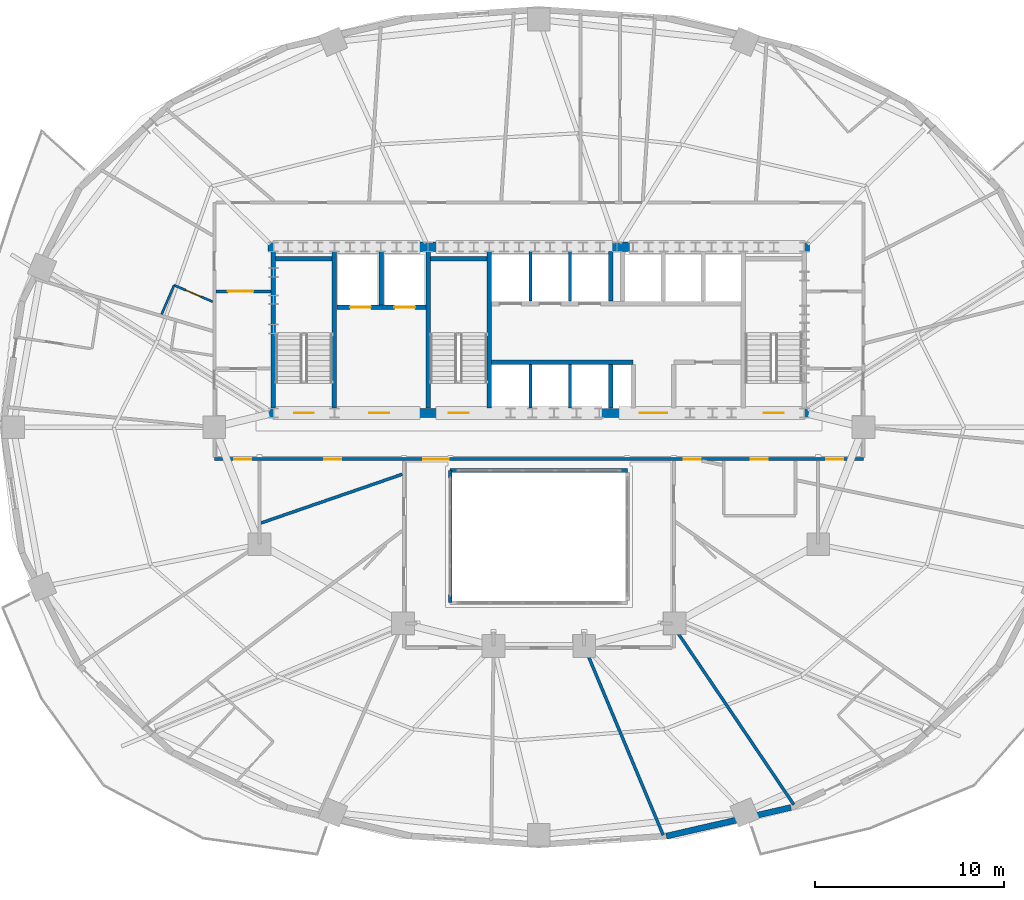
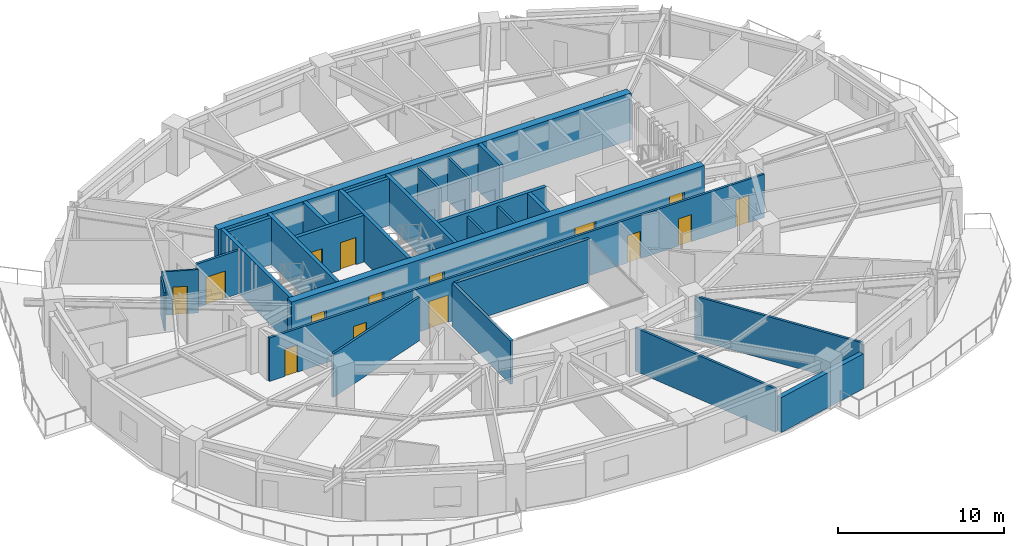
# One storey, part 8 of 14: 27 walls, 15 doors, 15 openings.
"""IFC4 building model written with IfcOpenShell, lengths in metres."""

from ifc_helpers import new_model, si_unit, direction, frame, frame_2d, origin, place, context, subcontext, project, spatial, rectangle, extrude, material, layer, layer_set, type_object, element, fill, save


model = new_model("IFC4")

# Units and contexts
model_context = context("Model", 3, precision=1e-05, world=origin(), true_north=direction((0.0, 1.0)))
body_context = subcontext(model_context, "Body", "Model", "MODEL_VIEW")
ifc_project = project(units=[si_unit("LENGTHUNIT", "METRE"), si_unit("AREAUNIT", "SQUARE_METRE"), si_unit("VOLUMEUNIT", "CUBIC_METRE"), si_unit("PLANEANGLEUNIT", "RADIAN"), si_unit("MASSUNIT", "GRAM", prefix="KILO")], contexts=[model_context])

# Site, building, storey
site_placement = place(None, origin())
site = spatial("IfcSite", under=ifc_project, at=site_placement, CompositionType="ELEMENT")
building_placement = place(site_placement, origin())
building = spatial("IfcBuilding", under=site, at=building_placement, Name="Haldorwick Loom Tower", CompositionType="ELEMENT")
storey_placement = place(building_placement, frame((0.0, 0.0, 99.050048828125)))
storey = spatial("IfcBuildingStorey", under=building, at=storey_placement, Name="L26", CompositionType="ELEMENT", Elevation=99.050048828125)

# Wall
ifc_material_1 = material(Name="Pressed Clay Face Brick and Insulated Masonry Backup Assembly", Category="masonry")
ifc_layer_1 = layer(ifc_material_1, 0.320068359375, Name="Pressed Clay Face Brick and Insulated Masonry Backup Assembly", Category="masonry")
ifc_layer_set_1 = layer_set([ifc_layer_1], Name="Pressed Clay Face Brick and Insulated Masonry Backup Assembly")
wall_type_1 = type_object("IfcWallType", Name="ARC-WL-EXT320", PredefinedType="STANDARD", material=ifc_layer_set_1)
wall_1_placement = place(storey_placement, frame((42.757080078125, 4.325439453125, 0.0), z_axis=(0.0, 0.0, 1.0), x_axis=(0.974584177714, 0.224021607329, 0.0)))
element("IfcWall", 1, at=wall_1_placement, inside=storey, type_object=wall_type_1, Name="L26 Brick Pier and Spandrel Wall 20", PredefinedType="STANDARD", context=body_context, shape_type="SweptSolid", body=[
    extrude(rectangle(XDim=6.767822265625, YDim=0.320068359375, at=frame_2d((3.3837890625, 0.0))), origin(), (0.0, 0.0, 1.0), 2.56884765625),
])

# Wall, openings, doors
ifc_material_2 = material(Name="Fire-Rated Type X Gypsum Stud Assembly EI 60")
ifc_layer_2 = layer(ifc_material_2, 0.159912109375, Name="Fire-Rated Type X Gypsum Stud Assembly EI 60")
ifc_layer_set_2 = layer_set([ifc_layer_2], Name="Fire-Rated Type X Gypsum Stud Assembly EI 60")
wall_type_2 = type_object("IfcWallType", Name="ARC-WL-FIRE160", PredefinedType="PARTITIONING", material=ifc_layer_set_2)
wall_2_placement = place(storey_placement, frame((18.800048828125, 24.300048828125, 0.0), z_axis=(0.0, 0.0, 1.0), x_axis=(1.0, 0.0, 0.0)))
wall_2 = element("IfcWall", 2, at=wall_2_placement, inside=storey, type_object=wall_type_2, Name="L26 Residential Fire Partition L26-CR-SP", PredefinedType="PARTITIONING", context=body_context, shape_type="SweptSolid", body=[
    extrude(rectangle(XDim=34.39990234375, YDim=0.159912109375, at=frame_2d((17.199951171875, 0.0))), origin(), (0.0, 0.0, 1.0), 3.195068359375),
])
opening_1_placement = place(wall_2_placement, frame((11.085693359375, 0.0, 0.0)))
opening_1 = element("IfcOpeningElement", 3, at=opening_1_placement, cuts=wall_2, Name="Opening D-CR15", PredefinedType="OPENING", context=body_context, shape_type="SweptSolid", body=[
    extrude(rectangle(XDim=1.35009765625, YDim=2.0, at=frame_2d((0.675048828125, 1.0))), frame((0.0, 0.08984375, 0.0), z_axis=(0.0, -1.0, 0.0), x_axis=(1.0, 0.0, 0.0)), (0.0, 0.0, 1.0), 0.179931640625),
])
opening_2_placement = place(wall_2_placement, frame((5.834716796875, 0.0, 0.0)))
opening_2 = element("IfcOpeningElement", 4, at=opening_2_placement, cuts=wall_2, Name="Opening D-FD60A", PredefinedType="OPENING", context=body_context, shape_type="SweptSolid", body=[
    extrude(rectangle(XDim=0.89990234375, YDim=2.0, at=frame_2d((0.449951171875, 1.0))), frame((0.0, 0.08984375, 0.0), z_axis=(0.0, -1.0, 0.0), x_axis=(1.0, 0.0, 0.0)), (0.0, 0.0, 1.0), 0.179931640625),
])
opening_3_placement = place(wall_2_placement, frame((28.437255859375, 0.0, 0.0)))
opening_3 = element("IfcOpeningElement", 5, at=opening_3_placement, cuts=wall_2, Name="Opening D-FD60A", PredefinedType="OPENING", context=body_context, shape_type="SweptSolid", body=[
    extrude(rectangle(XDim=0.89990234375, YDim=2.0, at=frame_2d((0.449951171875, 1.0))), frame((0.0, 0.08984375, 0.0), z_axis=(0.0, -1.0, 0.0), x_axis=(1.0, 0.0, 0.0)), (0.0, 0.0, 1.0), 0.179931640625),
])
opening_4_placement = place(wall_2_placement, frame((24.8916015625, 0.0, 0.0)))
opening_4 = element("IfcOpeningElement", 6, at=opening_4_placement, cuts=wall_2, Name="Opening D-FD60A", PredefinedType="OPENING", context=body_context, shape_type="SweptSolid", body=[
    extrude(rectangle(XDim=0.89990234375, YDim=2.0, at=frame_2d((0.449951171875, 1.0))), frame((0.0, 0.08984375, 0.0), z_axis=(0.0, -1.0, 0.0), x_axis=(1.0, 0.0, 0.0)), (0.0, 0.0, 1.0), 0.179931640625),
])
opening_5_placement = place(wall_2_placement, frame((1.063232421875, 0.0, 0.0)))
opening_5 = element("IfcOpeningElement", 7, at=opening_5_placement, cuts=wall_2, Name="Opening D-FD60A", PredefinedType="OPENING", context=body_context, shape_type="SweptSolid", body=[
    extrude(rectangle(XDim=0.89990234375, YDim=2.0, at=frame_2d((0.449951171875, 1.0))), frame((0.0, 0.08984375, 0.0), z_axis=(0.0, -1.0, 0.0), x_axis=(1.0, 0.0, 0.0)), (0.0, 0.0, 1.0), 0.179931640625),
])
opening_6_placement = place(wall_2_placement, frame((32.436767578125, 0.0, 0.0)))
opening_6 = element("IfcOpeningElement", 8, at=opening_6_placement, cuts=wall_2, Name="Opening D-FD60A", PredefinedType="OPENING", context=body_context, shape_type="SweptSolid", body=[
    extrude(rectangle(XDim=0.89990234375, YDim=2.0, at=frame_2d((0.449951171875, 1.0))), frame((0.0, 0.08984375, 0.0), z_axis=(0.0, -1.0, 0.0), x_axis=(1.0, 0.0, 0.0)), (0.0, 0.0, 1.0), 0.179931640625),
])
ifc_material_3 = material(Name="Thermally Broken Anodized Aluminium and Tempered Glass", Category="aluminium")
door_type_1 = type_object("IfcDoorType", Name="ARC-DR-COR150", OperationType="NOTDEFINED", PredefinedType="DOOR", material=ifc_material_3)
door_1_placement = place(opening_1_placement, origin())
door_1 = element("IfcDoor", 9, at=door_1_placement, inside=storey, type_object=door_type_1, Name="L26 L26 Central Residential Corridor to L26 South Atrium Corridor Door", OperationType="DOUBLE_DOOR_SINGLE_SWING", OverallHeight=2.0, OverallWidth=1.35009765625, PredefinedType="DOOR", context=body_context, shape_type="SweptSolid", body=[
    extrude(rectangle(XDim=1.35009765625, YDim=2.0, at=frame_2d((0.675048828125, 1.0))), frame((0.0, 0.02490234375, 0.0), z_axis=(0.0, -1.0, 0.0), x_axis=(1.0, 0.0, 0.0)), (0.0, 0.0, 1.0), 0.050048828125),
])
fill(opening_1, door_1)
ifc_material_4 = material(Name="Hollow Steel Fire Door Assembly", Category="steel")
door_type_2 = type_object("IfcDoorType", Name="ARC-DR-FD60-90", OperationType="NOTDEFINED", PredefinedType="DOOR", material=ifc_material_4)
door_2_placement = place(opening_2_placement, origin())
door_2 = element("IfcDoor", 10, at=door_2_placement, inside=storey, type_object=door_type_2, Name="L26 L26 Central Residential Corridor to Shared Dining Hall 3 Door", OperationType="SINGLE_SWING_RIGHT", OverallHeight=2.0, OverallWidth=0.89990234375, PredefinedType="DOOR", context=body_context, shape_type="SweptSolid", body=[
    extrude(rectangle(XDim=0.89990234375, YDim=2.0, at=frame_2d((0.449951171875, 1.0))), frame((0.0, 0.02490234375, 0.0), z_axis=(0.0, -1.0, 0.0), x_axis=(1.0, 0.0, 0.0)), (0.0, 0.0, 1.0), 0.050048828125),
])
fill(opening_2, door_2)
door_3_placement = place(opening_3_placement, origin())
door_3 = element("IfcDoor", 11, at=door_3_placement, inside=storey, type_object=door_type_2, Name="L26 L26 Central Residential Corridor to Common Accessible WC Door", OperationType="SINGLE_SWING_RIGHT", OverallHeight=2.0, OverallWidth=0.89990234375, PredefinedType="DOOR", context=body_context, shape_type="SweptSolid", body=[
    extrude(rectangle(XDim=0.89990234375, YDim=2.0, at=frame_2d((0.449951171875, 1.0))), frame((0.0, 0.02490234375, 0.0), z_axis=(0.0, -1.0, 0.0), x_axis=(1.0, 0.0, 0.0)), (0.0, 0.0, 1.0), 0.050048828125),
])
fill(opening_3, door_3)
door_4_placement = place(opening_4_placement, origin())
door_4 = element("IfcDoor", 12, at=door_4_placement, inside=storey, type_object=door_type_2, Name="L26 L26 Central Residential Corridor to Co-Working Open Office 15 Door", OperationType="SINGLE_SWING_LEFT", OverallHeight=2.0, OverallWidth=0.89990234375, PredefinedType="DOOR", context=body_context, shape_type="SweptSolid", body=[
    extrude(rectangle(XDim=0.89990234375, YDim=2.0, at=frame_2d((0.449951171875, 1.0))), frame((0.0, 0.02490234375, 0.0), z_axis=(0.0, -1.0, 0.0), x_axis=(1.0, 0.0, 0.0)), (0.0, 0.0, 1.0), 0.050048828125),
])
fill(opening_4, door_4)
door_5_placement = place(opening_5_placement, origin())
door_5 = element("IfcDoor", 13, at=door_5_placement, inside=storey, type_object=door_type_2, Name="L26 L26 Central Residential Corridor to Co-Working Open Office 1 Door", OperationType="SINGLE_SWING_RIGHT", OverallHeight=2.0, OverallWidth=0.89990234375, PredefinedType="DOOR", context=body_context, shape_type="SweptSolid", body=[
    extrude(rectangle(XDim=0.89990234375, YDim=2.0, at=frame_2d((0.449951171875, 1.0))), frame((0.0, 0.02490234375, 0.0), z_axis=(0.0, -1.0, 0.0), x_axis=(1.0, 0.0, 0.0)), (0.0, 0.0, 1.0), 0.050048828125),
])
fill(opening_5, door_5)
door_6_placement = place(opening_6_placement, origin())
door_6 = element("IfcDoor", 14, at=door_6_placement, inside=storey, type_object=door_type_2, Name="L26 L26 Central Residential Corridor to Co-Working Open Office 7 Door", OperationType="SINGLE_SWING_LEFT", OverallHeight=2.0, OverallWidth=0.89990234375, PredefinedType="DOOR", context=body_context, shape_type="SweptSolid", body=[
    extrude(rectangle(XDim=0.89990234375, YDim=2.0, at=frame_2d((0.449951171875, 1.0))), frame((0.0, 0.02490234375, 0.0), z_axis=(0.0, -1.0, 0.0), x_axis=(1.0, 0.0, 0.0)), (0.0, 0.0, 1.0), 0.050048828125),
])
fill(opening_6, door_6)

# Wall, opening, door
wall_3_placement = place(storey_placement, frame((18.883056640625, 33.199951171875, 0.0), z_axis=(0.0, 0.0, 1.0), x_axis=(1.0, 0.0, 0.0)))
wall_3 = element("IfcWall", 15, at=wall_3_placement, inside=storey, type_object=wall_type_2, Name="L26 Residential Fire Partition L26-CR-WNJ", PredefinedType="PARTITIONING", context=body_context, shape_type="SweptSolid", body=[
    extrude(rectangle(XDim=2.923828125, YDim=0.159912109375, at=frame_2d((1.4619140625, 0.0))), origin(), (0.0, 0.0, 1.0), 3.195068359375),
])
opening_7_placement = place(wall_3_placement, frame((0.637939453125, 0.0, 0.0)))
opening_7 = element("IfcOpeningElement", 16, at=opening_7_placement, cuts=wall_3, Name="Opening D-CR15", PredefinedType="OPENING", context=body_context, shape_type="SweptSolid", body=[
    extrude(rectangle(XDim=1.35009765625, YDim=2.0, at=frame_2d((0.675048828125, 1.0))), frame((0.0, 0.08984375, 0.0), z_axis=(0.0, -1.0, 0.0), x_axis=(1.0, 0.0, 0.0)), (0.0, 0.0, 1.0), 0.179931640625),
])
door_7_placement = place(opening_7_placement, origin())
door_7 = element("IfcDoor", 17, at=door_7_placement, inside=storey, type_object=door_type_1, Name="L26 L26 North Residential Corridor to L26 West Residential Corridor Door", OperationType="DOUBLE_DOOR_SINGLE_SWING", OverallHeight=2.0, OverallWidth=1.35009765625, PredefinedType="DOOR", context=body_context, shape_type="SweptSolid", body=[
    extrude(rectangle(XDim=1.35009765625, YDim=2.0, at=frame_2d((0.675048828125, 1.0))), frame((0.0, 0.02490234375, 0.0), z_axis=(0.0, -1.0, 0.0), x_axis=(1.0, 0.0, 0.0)), (0.0, 0.0, 1.0), 0.050048828125),
])
fill(opening_7, door_7)

# Walls
wall_4_placement = place(storey_placement, frame((38.4765625, 14.217041015625, 0.0), z_axis=(0.0, 0.0, 1.0), x_axis=(0.385727114359, -0.922612916259, 0.0)))
element("IfcWall", 18, at=wall_4_placement, inside=storey, type_object=wall_type_2, Name="L26 Residential Fire Partition L26-ICR-05", PredefinedType="PARTITIONING", context=body_context, shape_type="SweptSolid", body=[
    extrude(rectangle(XDim=10.6630859375, YDim=0.159912109375, at=frame_2d((5.33154296875, 0.0))), origin(), (0.0, 0.0, 1.0), 3.195068359375),
])
wall_5_placement = place(storey_placement, frame((28.76708984375, 23.504638671875, 0.0), z_axis=(0.0, 0.0, 1.0), x_axis=(-0.945322503032, -0.326137034483, 0.0)))
element("IfcWall", 19, at=wall_5_placement, inside=storey, type_object=wall_type_2, Name="L26 Suite Split Wall", PredefinedType="PARTITIONING", context=body_context, shape_type="SweptSolid", body=[
    extrude(rectangle(XDim=7.9169921875, YDim=0.159912109375, at=frame_2d((3.95849609375, 0.0))), origin(), (0.0, 0.0, 1.0), 3.195068359375),
])
wall_6_placement = place(storey_placement, frame((43.23291015625, 15.2900390625, 0.0), z_axis=(0.0, 0.0, 1.0), x_axis=(0.559691064991, -0.828701340514, 0.0)))
element("IfcWall", 20, at=wall_6_placement, inside=storey, type_object=wall_type_2, Name="L26 Suite Split Wall", PredefinedType="PARTITIONING", context=body_context, shape_type="SweptSolid", body=[
    extrude(rectangle(XDim=11.220947265625, YDim=0.159912109375, at=frame_2d((5.6103515625, 0.0))), origin(), (0.0, 0.0, 1.0), 3.195068359375),
])
ifc_material_5 = material(Name="Fire-Rated Type X Gypsum Stud Assembly EI 120")
ifc_layer_3 = layer(ifc_material_5, 0.199951171875, Name="Fire-Rated Type X Gypsum Stud Assembly EI 120")
ifc_layer_set_3 = layer_set([ifc_layer_3], Name="Fire-Rated Type X Gypsum Stud Assembly EI 120")
wall_type_3 = type_object("IfcWallType", Name="ARC-WL-FIRE200", PredefinedType="PARTITIONING", material=ifc_layer_set_3)
wall_7_placement = place(storey_placement, frame((31.300048828125, 23.699951171875, 0.0), z_axis=(0.0, 0.0, 1.0), x_axis=(1.0, 0.0, 0.0)))
element("IfcWall", 21, at=wall_7_placement, inside=storey, type_object=wall_type_3, Name="L26 Atrium Fire Enclosure Wall N", PredefinedType="PARTITIONING", context=body_context, shape_type="SweptSolid", body=[
    extrude(rectangle(XDim=9.39990234375, YDim=0.199951171875, at=frame_2d((4.699951171875, 0.0))), origin(), (0.0, 0.0, 1.0), 3.195068359375),
])
wall_8_placement = place(storey_placement, frame((31.300048828125, 16.699951171875, 0.0), z_axis=(0.0, 0.0, 1.0), x_axis=(0.0, 1.0, 0.0)))
element("IfcWall", 22, at=wall_8_placement, inside=storey, type_object=wall_type_3, Name="L26 Atrium Fire Enclosure Wall W", PredefinedType="PARTITIONING", context=body_context, shape_type="SweptSolid", body=[
    extrude(rectangle(XDim=7.0, YDim=0.199951171875, at=frame_2d((3.5, 0.0))), origin(), (0.0, 0.0, 1.0), 3.195068359375),
])
ifc_material_6 = material(Name="Acoustic Gypsum Stud Assembly STC 55")
ifc_layer_4 = layer(ifc_material_6, 0.1201171875, Name="Acoustic Gypsum Stud Assembly STC 55")
ifc_layer_set_4 = layer_set([ifc_layer_4], Name="Acoustic Gypsum Stud Assembly STC 55")
wall_type_4 = type_object("IfcWallType", Name="ARC-WL-PART120", PredefinedType="PARTITIONING", material=ifc_layer_set_4)
wall_9_placement = place(storey_placement, frame((16.67041015625, 33.52294921875, 0.0), z_axis=(0.0, 0.0, 1.0), x_axis=(-0.393008297987, -0.919534924684, 0.0)))
element("IfcWall", 23, at=wall_9_placement, inside=storey, type_object=wall_type_4, Name="L26 Unit 26K Interior Partition", PredefinedType="PARTITIONING", context=body_context, shape_type="SweptSolid", body=[
    extrude(rectangle(XDim=1.68212890625, YDim=0.1201171875, at=frame_2d((0.841064453125, 0.0))), origin(), (0.0, 0.0, 1.0), 2.826904296875),
])

# Wall, opening, door
wall_10_placement = place(storey_placement, frame((18.717041015625, 32.648193359375, 0.0), z_axis=(0.0, 0.0, 1.0), x_axis=(-0.919530395022, 0.393018896023, 0.0)))
wall_10 = element("IfcWall", 24, at=wall_10_placement, inside=storey, type_object=wall_type_4, Name="L26 Unit 26K Interior Partition", PredefinedType="PARTITIONING", context=body_context, shape_type="SweptSolid", body=[
    extrude(rectangle(XDim=2.225830078125, YDim=0.1201171875, at=frame_2d((1.11279296875, 0.0))), origin(), (0.0, 0.0, 1.0), 3.195068359375),
])
opening_8_placement = place(wall_10_placement, frame((0.6728515625, 0.0, 0.0)))
opening_8 = element("IfcOpeningElement", 25, at=opening_8_placement, cuts=wall_10, Name="Opening D-BT88", PredefinedType="OPENING", context=body_context, shape_type="SweptSolid", body=[
    extrude(rectangle(XDim=0.8798828125, YDim=2.02001953125, at=frame_2d((0.43994140625, 1.010009765625))), frame((0.0, 0.070068359375, 0.0), z_axis=(0.0, -1.0, 0.0), x_axis=(1.0, 0.0, 0.0)), (0.0, 0.0, 1.0), 0.14013671875),
])
ifc_material_7 = material(Name="Solid Core Birch Architectural Door")
door_type_3 = type_object("IfcDoorType", Name="ARC-DR-BATH88", OperationType="NOTDEFINED", PredefinedType="DOOR", material=ifc_material_7)
door_8_placement = place(opening_8_placement, origin())
door_8 = element("IfcDoor", 26, at=door_8_placement, inside=storey, type_object=door_type_3, Name="L26 Unit 26K Bathroom to Unit 26K Kitchen and Studio Living Room Door", OperationType="SINGLE_SWING_RIGHT", OverallHeight=2.02001953125, OverallWidth=0.8798828125, PredefinedType="DOOR", context=body_context, shape_type="SweptSolid", body=[
    extrude(rectangle(XDim=0.8798828125, YDim=2.02001953125, at=frame_2d((0.43994140625, 1.010009765625))), frame((0.0, 0.02490234375, 0.0), z_axis=(0.0, -1.0, 0.0), x_axis=(1.0, 0.0, 0.0)), (0.0, 0.0, 1.0), 0.050048828125),
])
fill(opening_8, door_8)

# Walls
ifc_layer_5 = layer(ifc_material_5, 0.1650390625, Name="Fire-Rated Type X Gypsum Stud Assembly EI 120")
ifc_layer_set_5 = layer_set([ifc_layer_5], Name="Fire-Rated Type X Gypsum Stud Assembly EI 120")
wall_type_5 = type_object("IfcWallType", Name="ARC-WL-SHAFT160", PredefinedType="MOVABLE", material=ifc_layer_set_5)
for number, where, z_axis, x_axis, name in (
    (27, (35.550048828125, 32.673095703125, 0.0), (0.0, 0.0, 1.0), (0.0, 1.0, 0.0), "L26 Low-Rise Hoistway Divider 1"),
    (28, (37.64990234375, 32.673095703125, 0.0), (0.0, 0.0, 1.0), (0.0, 1.0, 0.0), "L26 Low-Rise Hoistway Divider 2"),
):
    element("IfcWall", number, at=place(storey_placement, frame(where, z_axis=z_axis, x_axis=x_axis)), inside=storey, type_object=wall_type_5, Name=name, PredefinedType="MOVABLE", context=body_context, shape_type="SweptSolid", body=[
        extrude(rectangle(XDim=2.6240234375, YDim=0.159912109375, at=frame_2d((1.31201171875, 0.0))), origin(), (0.0, 0.0, 1.0), 3.195068359375),
    ])
for number, where, z_axis, x_axis, name in (
    (29, (35.550048828125, 27.0029296875, 0.0), (0.0, 0.0, 1.0), (0.0, 1.0, 0.0), "L26 Mid-Rise Hoistway Divider 1"),
    (30, (37.64990234375, 27.0029296875, 0.0), (0.0, 0.0, 1.0), (0.0, 1.0, 0.0), "L26 Mid-Rise Hoistway Divider 2"),
):
    element("IfcWall", number, at=place(storey_placement, frame(where, z_axis=z_axis, x_axis=x_axis)), inside=storey, type_object=wall_type_5, Name=name, PredefinedType="MOVABLE", context=body_context, shape_type="SweptSolid", body=[
        extrude(rectangle(XDim=2.323974609375, YDim=0.159912109375, at=frame_2d((1.162109375, 0.0))), origin(), (0.0, 0.0, 1.0), 3.195068359375),
    ])

# Wall, openings, doors
ifc_material_8 = material(Name="Concrete C60 (60 MPa)", Category="concrete")
ifc_layer_6 = layer(ifc_material_8, 0.5, Name="Concrete C60 (60 MPa)", Category="concrete")
ifc_layer_set_6 = layer_set([ifc_layer_6], Name="Concrete C60 (60 MPa)")
wall_type_6 = type_object("IfcWallType", Name="STR-WL-CORE500", PredefinedType="SHEAR", material=ifc_layer_set_6)
wall_11_placement = place(storey_placement, frame((21.64990234375, 26.75, 0.0), z_axis=(0.0, 0.0, 1.0), x_axis=(1.0, 0.0, 0.0)))
wall_11 = element("IfcWall", 31, at=wall_11_placement, inside=storey, type_object=wall_type_6, Name="L26 Core Shear Wall S", PredefinedType="SHEAR", context=body_context, shape_type="SweptSolid", body=[
    extrude(rectangle(XDim=28.7001953125, YDim=0.5, at=frame_2d((14.35009765625, 0.0))), origin(), (0.0, 0.0, 1.0), 3.449951171875),
])
opening_9_placement = place(wall_11_placement, frame((1.375, 0.0, 0.0)))
opening_9 = element("IfcOpeningElement", 32, at=opening_9_placement, cuts=wall_11, Name="Opening D-FD60", PredefinedType="OPENING", context=body_context, shape_type="SweptSolid", body=[
    extrude(rectangle(XDim=1.050048828125, YDim=2.0, at=frame_2d((0.52490234375, 1.0))), frame((0.0, 0.260009765625, 0.0), z_axis=(0.0, -1.0, 0.0), x_axis=(1.0, 0.0, 0.0)), (0.0, 0.0, 1.0), 0.52001953125),
])
opening_10_placement = place(wall_11_placement, frame((5.375, 0.0, 0.0)))
opening_10 = element("IfcOpeningElement", 33, at=opening_10_placement, cuts=wall_11, Name="Opening D-FD60", PredefinedType="OPENING", context=body_context, shape_type="SweptSolid", body=[
    extrude(rectangle(XDim=1.050048828125, YDim=2.0, at=frame_2d((0.52490234375, 1.0))), frame((0.0, 0.260009765625, 0.0), z_axis=(0.0, -1.0, 0.0), x_axis=(1.0, 0.0, 0.0)), (0.0, 0.0, 1.0), 0.52001953125),
])
opening_11_placement = place(wall_11_placement, frame((9.574951171875, 0.0, 0.0)))
opening_11 = element("IfcOpeningElement", 34, at=opening_11_placement, cuts=wall_11, Name="Opening D-FD60", PredefinedType="OPENING", context=body_context, shape_type="SweptSolid", body=[
    extrude(rectangle(XDim=1.050048828125, YDim=2.0, at=frame_2d((0.52490234375, 1.0))), frame((0.0, 0.260009765625, 0.0), z_axis=(0.0, -1.0, 0.0), x_axis=(1.0, 0.0, 0.0)), (0.0, 0.0, 1.0), 0.52001953125),
])
opening_12_placement = place(wall_11_placement, frame((19.705078125, 0.0, 0.0)))
opening_12 = element("IfcOpeningElement", 35, at=opening_12_placement, cuts=wall_11, Name="Opening D-LB15", PredefinedType="OPENING", context=body_context, shape_type="SweptSolid", body=[
    extrude(rectangle(XDim=1.449951171875, YDim=2.0, at=frame_2d((0.72509765625, 1.0))), frame((0.0, 0.260009765625, 0.0), z_axis=(0.0, -1.0, 0.0), x_axis=(1.0, 0.0, 0.0)), (0.0, 0.0, 1.0), 0.52001953125),
])
opening_13_placement = place(wall_11_placement, frame((26.27490234375, 0.0, 0.0)))
opening_13 = element("IfcOpeningElement", 36, at=opening_13_placement, cuts=wall_11, Name="Opening D-FD60", PredefinedType="OPENING", context=body_context, shape_type="SweptSolid", body=[
    extrude(rectangle(XDim=1.050048828125, YDim=2.0, at=frame_2d((0.52490234375, 1.0))), frame((0.0, 0.260009765625, 0.0), z_axis=(0.0, -1.0, 0.0), x_axis=(1.0, 0.0, 0.0)), (0.0, 0.0, 1.0), 0.52001953125),
])
door_type_4 = type_object("IfcDoorType", Name="ARC-DR-FD60", OperationType="NOTDEFINED", PredefinedType="DOOR", material=ifc_material_4)
door_9_placement = place(opening_9_placement, origin())
door_9 = element("IfcDoor", 37, at=door_9_placement, inside=storey, type_object=door_type_4, Name="L26 Exit Stair ST-01 Fire Door", OperationType="SINGLE_SWING_RIGHT", OverallHeight=2.0, OverallWidth=1.050048828125, PredefinedType="DOOR", context=body_context, shape_type="SweptSolid", body=[
    extrude(rectangle(XDim=1.050048828125, YDim=2.0, at=frame_2d((0.52490234375, 1.0))), frame((0.0, 0.02490234375, 0.0), z_axis=(0.0, -1.0, 0.0), x_axis=(1.0, 0.0, 0.0)), (0.0, 0.0, 1.0), 0.050048828125),
])
fill(opening_9, door_9)
door_10_placement = place(opening_10_placement, origin())
door_10 = element("IfcDoor", 38, at=door_10_placement, inside=storey, type_object=door_type_4, Name="L26 Firefighting Lift Lobby Fire Door", OperationType="SINGLE_SWING_LEFT", OverallHeight=2.0, OverallWidth=1.050048828125, PredefinedType="DOOR", context=body_context, shape_type="SweptSolid", body=[
    extrude(rectangle(XDim=1.050048828125, YDim=2.0, at=frame_2d((0.52490234375, 1.0))), frame((0.0, 0.02490234375, 0.0), z_axis=(0.0, -1.0, 0.0), x_axis=(1.0, 0.0, 0.0)), (0.0, 0.0, 1.0), 0.050048828125),
])
fill(opening_10, door_10)
door_11_placement = place(opening_11_placement, origin())
door_11 = element("IfcDoor", 39, at=door_11_placement, inside=storey, type_object=door_type_4, Name="L26 Exit Stair ST-03 Fire Door", OperationType="SINGLE_SWING_LEFT", OverallHeight=2.0, OverallWidth=1.050048828125, PredefinedType="DOOR", context=body_context, shape_type="SweptSolid", body=[
    extrude(rectangle(XDim=1.050048828125, YDim=2.0, at=frame_2d((0.52490234375, 1.0))), frame((0.0, 0.02490234375, 0.0), z_axis=(0.0, -1.0, 0.0), x_axis=(1.0, 0.0, 0.0)), (0.0, 0.0, 1.0), 0.050048828125),
])
fill(opening_11, door_11)
door_12_placement = place(opening_13_placement, origin())
door_12 = element("IfcDoor", 40, at=door_12_placement, inside=storey, type_object=door_type_4, Name="L26 Exit Stair ST-02 Fire Door", OperationType="SINGLE_SWING_LEFT", OverallHeight=2.0, OverallWidth=1.050048828125, PredefinedType="DOOR", context=body_context, shape_type="SweptSolid", body=[
    extrude(rectangle(XDim=1.050048828125, YDim=2.0, at=frame_2d((0.52490234375, 1.0))), frame((0.0, 0.02490234375, 0.0), z_axis=(0.0, -1.0, 0.0), x_axis=(1.0, 0.0, 0.0)), (0.0, 0.0, 1.0), 0.050048828125),
])
fill(opening_13, door_12)
door_type_5 = type_object("IfcDoorType", Name="ARC-DR-LOB150", OperationType="NOTDEFINED", PredefinedType="DOOR", material=ifc_material_3)
door_13_placement = place(opening_12_placement, frame((1.449951171875, 0.0, 0.0), z_axis=(0.0, 0.0, 1.0), x_axis=(-1.0, 0.0, 0.0)))
door_13 = element("IfcDoor", 41, at=door_13_placement, inside=storey, type_object=door_type_5, Name="L26 Passenger Lift Lobby Fire Door", OperationType="DOUBLE_DOOR_SINGLE_SWING", OverallHeight=2.0, OverallWidth=1.449951171875, PredefinedType="DOOR", context=body_context, shape_type="SweptSolid", body=[
    extrude(rectangle(XDim=1.449951171875, YDim=2.0, at=frame_2d((0.72509765625, 1.0))), frame((0.0, 0.02490234375, 0.0), z_axis=(0.0, -1.0, 0.0), x_axis=(1.0, 0.0, 0.0)), (0.0, 0.0, 1.0), 0.050048828125),
])
fill(opening_12, door_13)

# Walls
wall_12_placement = place(storey_placement, frame((50.35009765625, 35.550048828125, 0.0), z_axis=(0.0, 0.0, 1.0), x_axis=(-1.0, 0.0, 0.0)))
element("IfcWall", 42, at=wall_12_placement, inside=storey, type_object=wall_type_6, Name="L26 Core Shear Wall N", PredefinedType="SHEAR", context=body_context, shape_type="SweptSolid", body=[
    extrude(rectangle(XDim=28.7001953125, YDim=0.5, at=frame_2d((14.35009765625, 0.0))), origin(), (0.0, 0.0, 1.0), 3.449951171875),
])
ifc_material_9 = material(Name="Concrete C50 (50 MPa)", Category="concrete")
ifc_layer_7 = layer(ifc_material_9, 0.239990234375, Name="Concrete C50 (50 MPa)", Category="concrete")
ifc_layer_set_7 = layer_set([ifc_layer_7], Name="Concrete C50 (50 MPa)")
wall_type_7 = type_object("IfcWallType", Name="STR-WL-SHAFT240", PredefinedType="SHEAR", material=ifc_layer_set_7)
for number, where, z_axis, x_axis, name in (
    (43, (21.929931640625, 35.297119140625, 0.0), (0.0, 0.0, 1.0), (0.0, -1.0, 0.0), "L26 Core Shear Wall W"),
    (44, (25.169921875, 27.0029296875, 0.0), (0.0, 0.0, 1.0), (0.0, 1.0, 0.0), "L26 Core Shear Wall 1"),
):
    element("IfcWall", number, at=place(storey_placement, frame(where, z_axis=z_axis, x_axis=x_axis)), inside=storey, type_object=wall_type_7, Name=name, PredefinedType="SHEAR", context=body_context, shape_type="SweptSolid", body=[
        extrude(rectangle(XDim=8.294189453125, YDim=0.239990234375, at=frame_2d((4.14697265625, 0.0))), origin(), (0.0, 0.0, 1.0), 3.449951171875),
    ])
wall_13_placement = place(storey_placement, frame((22.052978515625, 34.919921875, 0.0), z_axis=(0.0, 0.0, 1.0), x_axis=(1.0, 0.0, 0.0)))
element("IfcWall", 45, at=wall_13_placement, inside=storey, type_object=wall_type_7, Name="L26 Core Shear Wall 1N", PredefinedType="SHEAR", context=body_context, shape_type="SweptSolid", body=[
    extrude(rectangle(XDim=2.994140625, YDim=0.239990234375, at=frame_2d((1.4970703125, 0.0))), origin(), (0.0, 0.0, 1.0), 3.449951171875),
])
for number, where, z_axis, x_axis, name in (
    (46, (30.1298828125, 27.0029296875, 0.0), (0.0, 0.0, 1.0), (0.0, 1.0, 0.0), "L26 Core Shear Wall 2"),
    (47, (33.3701171875, 27.0029296875, 0.0), (0.0, 0.0, 1.0), (0.0, 1.0, 0.0), "L26 Core Shear Wall 3"),
):
    element("IfcWall", number, at=place(storey_placement, frame(where, z_axis=z_axis, x_axis=x_axis)), inside=storey, type_object=wall_type_7, Name=name, PredefinedType="SHEAR", context=body_context, shape_type="SweptSolid", body=[
        extrude(rectangle(XDim=8.294189453125, YDim=0.239990234375, at=frame_2d((4.14697265625, 0.0))), origin(), (0.0, 0.0, 1.0), 3.449951171875),
    ])
wall_14_placement = place(storey_placement, frame((30.2529296875, 34.919921875, 0.0), z_axis=(0.0, 0.0, 1.0), x_axis=(1.0, 0.0, 0.0)))
element("IfcWall", 48, at=wall_14_placement, inside=storey, type_object=wall_type_7, Name="L26 Core Shear Wall 3N", PredefinedType="SHEAR", context=body_context, shape_type="SweptSolid", body=[
    extrude(rectangle(XDim=2.994140625, YDim=0.239990234375, at=frame_2d((1.4970703125, 0.0))), origin(), (0.0, 0.0, 1.0), 3.449951171875),
])

# Wall, openings, doors
wall_15_placement = place(storey_placement, frame((25.29296875, 32.35009765625, 0.0), z_axis=(0.0, 0.0, 1.0), x_axis=(1.0, 0.0, 0.0)))
wall_15 = element("IfcWall", 49, at=wall_15_placement, inside=storey, type_object=wall_type_7, Name="L26 Core Shear Wall FF", PredefinedType="SHEAR", context=body_context, shape_type="SweptSolid", body=[
    extrude(rectangle(XDim=4.714111328125, YDim=0.239990234375, at=frame_2d((2.35693359375, 0.0))), origin(), (0.0, 0.0, 1.0), 3.449951171875),
])
opening_14_placement = place(wall_15_placement, frame((0.70703125, 0.0, 0.0)))
opening_14 = element("IfcOpeningElement", 50, at=opening_14_placement, cuts=wall_15, Name="Opening LD-FF1", PredefinedType="OPENING", context=body_context, shape_type="SweptSolid", body=[
    extrude(rectangle(XDim=1.10009765625, YDim=2.0, at=frame_2d((0.550048828125, 1.0))), frame((0.0, 0.1298828125, 0.0), z_axis=(0.0, -1.0, 0.0), x_axis=(1.0, 0.0, 0.0)), (0.0, 0.0, 1.0), 0.260009765625),
])
opening_15_placement = place(wall_15_placement, frame((3.056884765625, 0.0, 0.0)))
opening_15 = element("IfcOpeningElement", 51, at=opening_15_placement, cuts=wall_15, Name="Opening LD-FF2", PredefinedType="OPENING", context=body_context, shape_type="SweptSolid", body=[
    extrude(rectangle(XDim=1.10009765625, YDim=2.0, at=frame_2d((0.550048828125, 1.0))), frame((0.0, 0.1298828125, 0.0), z_axis=(0.0, -1.0, 0.0), x_axis=(1.0, 0.0, 0.0)), (0.0, 0.0, 1.0), 0.260009765625),
])
door_type_6 = type_object("IfcDoorType", Name="ARC-DR-LD-FF", OperationType="NOTDEFINED", PredefinedType="USERDEFINED", material=ifc_material_4)
door_14_placement = place(opening_14_placement, origin())
door_14 = element("IfcDoor", 52, at=door_14_placement, inside=storey, type_object=door_type_6, Name="L26 Lift LF-FF1 Sliding Landing Door", ObjectType="LANDING DOOR", OperationType="DOUBLE_DOOR_SLIDING", OverallHeight=2.0, OverallWidth=1.10009765625, PredefinedType="USERDEFINED", context=body_context, shape_type="SweptSolid", body=[
    extrude(rectangle(XDim=1.10009765625, YDim=2.0, at=frame_2d((0.550048828125, 1.0))), frame((0.0, 0.02490234375, 0.0), z_axis=(0.0, -1.0, 0.0), x_axis=(1.0, 0.0, 0.0)), (0.0, 0.0, 1.0), 0.050048828125),
])
fill(opening_14, door_14)
door_15_placement = place(opening_15_placement, origin())
door_15 = element("IfcDoor", 53, at=door_15_placement, inside=storey, type_object=door_type_6, Name="L26 Lift LF-FF2 Sliding Landing Door", ObjectType="LANDING DOOR", OperationType="DOUBLE_DOOR_SLIDING", OverallHeight=2.0, OverallWidth=1.10009765625, PredefinedType="USERDEFINED", context=body_context, shape_type="SweptSolid", body=[
    extrude(rectangle(XDim=1.10009765625, YDim=2.0, at=frame_2d((0.550048828125, 1.0))), frame((0.0, 0.02490234375, 0.0), z_axis=(0.0, -1.0, 0.0), x_axis=(1.0, 0.0, 0.0)), (0.0, 0.0, 1.0), 0.050048828125),
])
fill(opening_15, door_15)

# Walls
wall_16_placement = place(storey_placement, frame((27.64990234375, 32.472900390625, 0.0), z_axis=(0.0, 0.0, 1.0), x_axis=(0.0, 1.0, 0.0)))
element("IfcWall", 54, at=wall_16_placement, inside=storey, type_object=wall_type_7, Name="L26 Core Shear Wall FFD", PredefinedType="SHEAR", context=body_context, shape_type="SweptSolid", body=[
    extrude(rectangle(XDim=2.82421875, YDim=0.239990234375, at=frame_2d((1.412109375, 0.0))), origin(), (0.0, 0.0, 1.0), 3.449951171875),
])
wall_17_placement = place(storey_placement, frame((33.492919921875, 29.449951171875, 0.0), z_axis=(0.0, 0.0, 1.0), x_axis=(1.0, 0.0, 0.0)))
element("IfcWall", 55, at=wall_17_placement, inside=storey, type_object=wall_type_7, Name="L26 Core Shear Wall LS1", PredefinedType="SHEAR", context=body_context, shape_type="SweptSolid", body=[
    extrude(rectangle(XDim=7.507080078125, YDim=0.239990234375, at=frame_2d((3.75341796875, 0.0))), origin(), (0.0, 0.0, 1.0), 3.449951171875),
])
wall_18_placement = place(storey_placement, frame((39.800048828125, 32.673095703125, 0.0), z_axis=(0.0, 0.0, 1.0), x_axis=(0.0, 1.0, 0.0)))
element("IfcWall", 56, at=wall_18_placement, inside=storey, type_object=wall_type_7, Name="L26 Core Shear Wall LHW", PredefinedType="SHEAR", context=body_context, shape_type="SweptSolid", body=[
    extrude(rectangle(XDim=2.6240234375, YDim=0.239990234375, at=frame_2d((1.31201171875, 0.0))), origin(), (0.0, 0.0, 1.0), 3.449951171875),
])
wall_19_placement = place(storey_placement, frame((39.800048828125, 27.0029296875, 0.0), z_axis=(0.0, 0.0, 1.0), x_axis=(0.0, 1.0, 0.0)))
element("IfcWall", 57, at=wall_19_placement, inside=storey, type_object=wall_type_7, Name="L26 Core Shear Wall MRW", PredefinedType="SHEAR", context=body_context, shape_type="SweptSolid", body=[
    extrude(rectangle(XDim=2.323974609375, YDim=0.239990234375, at=frame_2d((1.162109375, 0.0))), origin(), (0.0, 0.0, 1.0), 3.449951171875),
])

save(model, "model.ifc")
